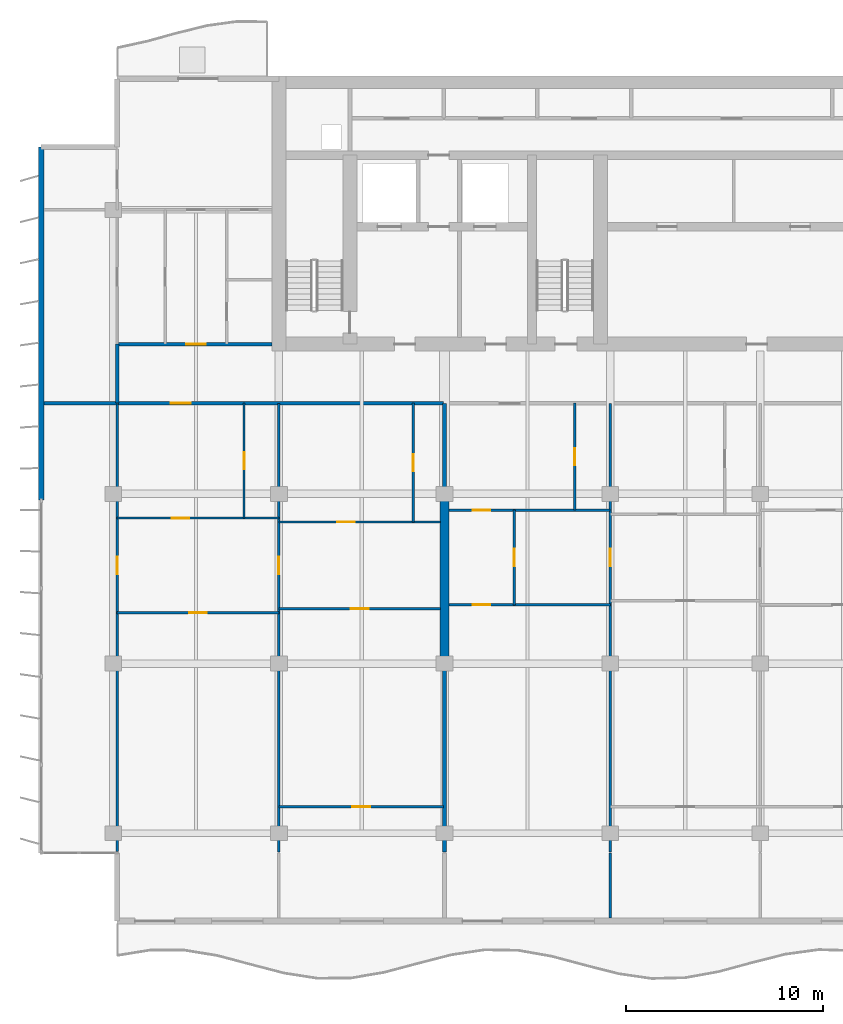
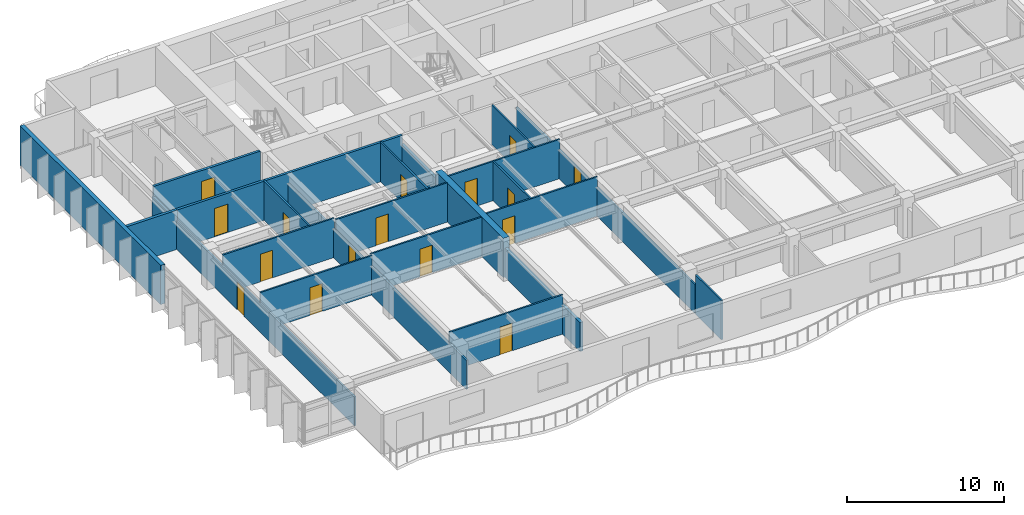
# One storey, part 7 of 16: 23 walls, 16 doors, 16 openings.
"""IFC4 building model written with IfcOpenShell, lengths in metres."""

from ifc_helpers import new_model, si_unit, direction, frame, frame_2d, origin, place, context, subcontext, project, spatial, rectangle, extrude, material, layer, layer_set, type_object, element, fill, save


model = new_model("IFC4")

# Units and contexts
model_context = context("Model", 3, precision=1e-05, world=origin(), true_north=direction((0.0, 1.0)))
body_context = subcontext(model_context, "Body", "Model", "MODEL_VIEW")
ifc_project = project(units=[si_unit("LENGTHUNIT", "METRE"), si_unit("AREAUNIT", "SQUARE_METRE"), si_unit("VOLUMEUNIT", "CUBIC_METRE"), si_unit("PLANEANGLEUNIT", "RADIAN"), si_unit("MASSUNIT", "GRAM", prefix="KILO")], contexts=[model_context])

# Site, building, storey
site_placement = place(None, origin())
site = spatial("IfcSite", under=ifc_project, at=site_placement, CompositionType="ELEMENT")
building_placement = place(site_placement, origin())
building = spatial("IfcBuilding", under=site, at=building_placement, Name="Caelmar Bay Residences", CompositionType="ELEMENT")
storey_placement = place(building_placement, frame((0.0, 0.0, 211.5)))
storey = spatial("IfcBuildingStorey", under=building, at=storey_placement, Name="L59", CompositionType="ELEMENT", Elevation=211.5)

# Walls
ifc_material_1 = material(Name="Concrete f'c 55 MPa (8,000 psi)", Category="concrete")
ifc_layer_1 = layer(ifc_material_1, 0.449951171875)
ifc_layer_set_1 = layer_set([ifc_layer_1], Name="Concrete f'c 55 MPa (8,000 psi)")
wall_type_1 = type_object("IfcWallType", Name="SW-XSLB-450", PredefinedType="SHEAR", material=ifc_layer_set_1)
wall_1_placement = place(storey_placement, frame((26.699951171875, 20.800048828125, 0.0), z_axis=(0.0, 0.0, 1.0), x_axis=(0.0, 1.0, 0.0)))
element("IfcWall", 1, at=wall_1_placement, inside=storey, type_object=wall_type_1, Name="L59 Transverse Cross-Slab Shear Wall W5", PredefinedType="SHEAR", context=body_context, shape_type="SweptSolid", body=[
    extrude(rectangle(XDim=8.599853515625, YDim=0.449951171875, at=frame_2d((4.2998046875, 0.0))), origin(), (0.0, 0.0, 1.0), 3.050048828125),
])
ifc_material_2 = material(Name="Double-stud acoustic fire-rated gypsum partition 180 mm")
ifc_layer_2 = layer(ifc_material_2, 0.179931640625)
ifc_layer_set_2 = layer_set([ifc_layer_2], Name="Double-stud acoustic fire-rated gypsum partition 180 mm")
wall_type_2 = type_object("IfcWallType", Name="W-COR-200", PredefinedType="PARTITIONING", material=ifc_layer_set_2)
wall_2_placement = place(storey_placement, frame((10.10009765625, 34.0048828125, 0.0), z_axis=(0.0, 0.0, 1.0), x_axis=(0.0, 1.0, 0.0)))
element("IfcWall", 2, at=wall_2_placement, inside=storey, type_object=wall_type_2, Name="L59 Partition Wall V002", PredefinedType="PARTITIONING", context=body_context, shape_type="SweptSolid", body=[
    extrude(rectangle(XDim=2.9951171875, YDim=0.179931640625, at=frame_2d((1.49755859375, 0.0))), origin(), (0.0, 0.0, 1.0), 2.262939453125),
])

# Wall, opening, door
wall_3_placement = place(storey_placement, frame((10.10498046875, 34.0, 0.0), z_axis=(0.0, 0.0, 1.0), x_axis=(1.0, 0.0, 0.0)))
wall_3 = element("IfcWall", 3, at=wall_3_placement, inside=storey, type_object=wall_type_2, Name="L59 Partition Wall H069", PredefinedType="PARTITIONING", context=body_context, shape_type="SweptSolid", body=[
    extrude(rectangle(XDim=16.544921875, YDim=0.179931640625, at=frame_2d((8.2724609375, 0.0))), origin(), (0.0, 0.0, 1.0), 3.050048828125),
])
opening_1_placement = place(wall_3_placement, frame((2.71240234375, 0.0, 0.0)))
opening_1 = element("IfcOpeningElement", 4, at=opening_1_placement, cuts=wall_3, Name="Opening D-L59-124", PredefinedType="OPENING", context=body_context, shape_type="SweptSolid", body=[
    extrude(rectangle(XDim=1.0, YDim=2.199951171875, at=frame_2d((0.5, 1.10009765625))), frame((0.0, 0.099853515625, 0.0), z_axis=(0.0, -1.0, 0.0), x_axis=(1.0, 0.0, 0.0)), (0.0, 0.0, 1.0), 0.199951171875),
])
ifc_material_3 = material(Name="Fire-rated steel and walnut architectural door assembly", Category="steel")
ifc_layer_3 = layer(ifc_material_3, 0.050048828125)
ifc_layer_set_3 = layer_set([ifc_layer_3], Name="Fire-rated steel and walnut architectural door assembly")
door_type_1 = type_object("IfcDoorType", Name="D-UNIT-1000", OperationType="NOTDEFINED", PredefinedType="DOOR", material=ifc_layer_set_3)
door_1_placement = place(opening_1_placement, origin())
door_1 = element("IfcDoor", 5, at=door_1_placement, inside=storey, type_object=door_type_1, Name="L59 Residence 01 Apartment Hall Door", OperationType="SINGLE_SWING_RIGHT", OverallHeight=2.199951171875, OverallWidth=1.0, PredefinedType="DOOR", context=body_context, shape_type="SweptSolid", body=[
    extrude(rectangle(XDim=1.0, YDim=2.199951171875, at=frame_2d((0.5, 1.10009765625))), frame((0.0, 0.02490234375, 0.0), z_axis=(0.0, -1.0, 0.0), x_axis=(1.0, 0.0, 0.0)), (0.0, 0.0, 1.0), 0.050048828125),
])
fill(opening_1, door_1)

wall_4_placement = place(storey_placement, frame((10.10009765625, 37.0, 0.0), z_axis=(0.0, 0.0, 1.0), x_axis=(1.0, 0.0, 0.0)))
wall_4 = element("IfcWall", 6, at=wall_4_placement, inside=storey, type_object=wall_type_2, Name="L59 Partition Wall H072", PredefinedType="PARTITIONING", context=body_context, shape_type="SweptSolid", body=[
    extrude(rectangle(XDim=7.844970703125, YDim=0.179931640625, at=frame_2d((3.92236328125, 0.0))), origin(), (0.0, 0.0, 1.0), 3.050048828125),
])
opening_2_placement = place(wall_4_placement, frame((3.49609375, 0.0, 0.0)))
opening_2 = element("IfcOpeningElement", 7, at=opening_2_placement, cuts=wall_4, Name="Opening D-L59-161", PredefinedType="OPENING", context=body_context, shape_type="SweptSolid", body=[
    extrude(rectangle(XDim=1.0, YDim=2.199951171875, at=frame_2d((0.5, 1.10009765625))), frame((0.0, 0.099853515625, 0.0), z_axis=(0.0, -1.0, 0.0), x_axis=(1.0, 0.0, 0.0)), (0.0, 0.0, 1.0), 0.199951171875),
])
door_2_placement = place(opening_2_placement, origin())
door_2 = element("IfcDoor", 8, at=door_2_placement, inside=storey, type_object=door_type_1, Name="L59 Residence WA Kitchen Door", OperationType="SINGLE_SWING_LEFT", OverallHeight=2.199951171875, OverallWidth=1.0, PredefinedType="DOOR", context=body_context, shape_type="SweptSolid", body=[
    extrude(rectangle(XDim=1.0, YDim=2.199951171875, at=frame_2d((0.5, 1.10009765625))), frame((0.0, 0.02490234375, 0.0), z_axis=(0.0, -1.0, 0.0), x_axis=(1.0, 0.0, 0.0)), (0.0, 0.0, 1.0), 0.050048828125),
])
fill(opening_2, door_2)

# Wall
ifc_material_4 = material(Name="Precast concrete f'c 40 MPa (6,000 psi)", Category="concrete")
ifc_layer_4 = layer(ifc_material_4, 0.300048828125)
ifc_layer_set_4 = layer_set([ifc_layer_4], Name="Precast concrete f'c 40 MPa (6,000 psi)")
wall_type_3 = type_object("IfcWallType", Name="W-EXT-300", PredefinedType="STANDARD", material=ifc_layer_set_4)
wall_5_placement = place(storey_placement, frame((6.25, 29.10009765625, 0.0), z_axis=(0.0, 0.0, 1.0), x_axis=(0.0, 1.0, 0.0)))
element("IfcWall", 9, at=wall_5_placement, inside=storey, type_object=wall_type_3, Name="L59 West Rear Exterior Wall", PredefinedType="STANDARD", context=body_context, shape_type="SweptSolid", body=[
    extrude(rectangle(XDim=17.89990234375, YDim=0.300048828125, at=frame_2d((8.949951171875, 0.0))), origin(), (0.0, 0.0, 1.0), 3.050048828125),
])

# Wall, opening, door
ifc_material_5 = material(Name="Acoustic metal-stud gypsum partition 120 mm")
ifc_layer_5 = layer(ifc_material_5, 0.1201171875)
ifc_layer_set_5 = layer_set([ifc_layer_5], Name="Acoustic metal-stud gypsum partition 120 mm")
wall_type_4 = type_object("IfcWallType", Name="W-PRT-120", PredefinedType="PARTITIONING", material=ifc_layer_set_5)
wall_6_placement = place(storey_placement, frame((10.10009765625, 11.284912109375, 0.0), z_axis=(0.0, 0.0, 1.0), x_axis=(0.0, 1.0, 0.0)))
wall_6 = element("IfcWall", 10, at=wall_6_placement, inside=storey, type_object=wall_type_4, Name="L59 Partition Wall V001", PredefinedType="PARTITIONING", context=body_context, shape_type="SweptSolid", body=[
    extrude(rectangle(XDim=22.715087890625, YDim=0.1201171875, at=frame_2d((11.357421875, 0.0))), origin(), (0.0, 0.0, 1.0), 2.262939453125),
])
opening_3_placement = place(wall_6_placement, frame((14.044921875, 0.0, 0.0)))
opening_3 = element("IfcOpeningElement", 11, at=opening_3_placement, cuts=wall_6, Name="Opening D-L59-158", PredefinedType="OPENING", context=body_context, shape_type="SweptSolid", body=[
    extrude(rectangle(XDim=0.89990234375, YDim=2.14990234375, at=frame_2d((0.449951171875, 1.074951171875))), frame((0.0, 0.070068359375, 0.0), z_axis=(0.0, -1.0, 0.0), x_axis=(1.0, 0.0, 0.0)), (0.0, 0.0, 1.0), 0.14013671875),
])
ifc_material_6 = material(Name="Solid walnut timber interior door leaf and frame", Category="wood")
ifc_layer_6 = layer(ifc_material_6, 0.050048828125)
ifc_layer_set_6 = layer_set([ifc_layer_6], Name="Solid walnut timber interior door leaf and frame")
door_type_2 = type_object("IfcDoorType", Name="D-ROOM-900", OperationType="NOTDEFINED", PredefinedType="DOOR", material=ifc_layer_set_6)
door_3_placement = place(opening_3_placement, origin())
door_3 = element("IfcDoor", 12, at=door_3_placement, inside=storey, type_object=door_type_2, Name="L59 Residence 01 Penthouse West Salon Door", OperationType="SINGLE_SWING_RIGHT", OverallHeight=2.14990234375, OverallWidth=0.89990234375, PredefinedType="DOOR", context=body_context, shape_type="SweptSolid", body=[
    extrude(rectangle(XDim=0.89990234375, YDim=2.14990234375, at=frame_2d((0.449951171875, 1.074951171875))), frame((0.0, 0.02490234375, 0.0), z_axis=(0.0, -1.0, 0.0), x_axis=(1.0, 0.0, 0.0)), (0.0, 0.0, 1.0), 0.050048828125),
])
fill(opening_3, door_3)

wall_7_placement = place(storey_placement, frame((16.530029296875, 28.179931640625, 0.0), z_axis=(0.0, 0.0, 1.0), x_axis=(0.0, 1.0, 0.0)))
wall_7 = element("IfcWall", 13, at=wall_7_placement, inside=storey, type_object=wall_type_4, Name="L59 Partition Wall V007", PredefinedType="PARTITIONING", context=body_context, shape_type="SweptSolid", body=[
    extrude(rectangle(XDim=5.820068359375, YDim=0.1201171875, at=frame_2d((2.91015625, 0.0))), origin(), (0.0, 0.0, 1.0), 3.050048828125),
])
opening_4_placement = place(wall_7_placement, frame((2.485107421875, 0.0, 0.0)))
opening_4 = element("IfcOpeningElement", 14, at=opening_4_placement, cuts=wall_7, Name="Opening D-L59-125", PredefinedType="OPENING", context=body_context, shape_type="SweptSolid", body=[
    extrude(rectangle(XDim=0.85009765625, YDim=2.10009765625, at=frame_2d((0.425048828125, 1.050048828125))), frame((0.0, 0.070068359375, 0.0), z_axis=(0.0, -1.0, 0.0), x_axis=(1.0, 0.0, 0.0)), (0.0, 0.0, 1.0), 0.14013671875),
])
ifc_layer_7 = layer(ifc_material_6, 0.050048828125)
ifc_layer_set_7 = layer_set([ifc_layer_7], Name="Solid walnut timber interior door leaf and frame")
door_type_3 = type_object("IfcDoorType", Name="D-BATH-850", OperationType="NOTDEFINED", PredefinedType="DOOR", material=ifc_layer_set_7)
door_4_placement = place(opening_4_placement, origin())
door_4 = element("IfcDoor", 15, at=door_4_placement, inside=storey, type_object=door_type_3, Name="L59 Residence 01 Guest Bathroom Door", OperationType="SINGLE_SWING_LEFT", OverallHeight=2.10009765625, OverallWidth=0.85009765625, PredefinedType="DOOR", context=body_context, shape_type="SweptSolid", body=[
    extrude(rectangle(XDim=0.85009765625, YDim=2.10009765625, at=frame_2d((0.425048828125, 1.050048828125))), frame((0.0, 0.02490234375, 0.0), z_axis=(0.0, -1.0, 0.0), x_axis=(1.0, 0.0, 0.0)), (0.0, 0.0, 1.0), 0.050048828125),
])
fill(opening_4, door_4)

wall_8_placement = place(storey_placement, frame((18.300048828125, 11.239990234375, 0.0), z_axis=(0.0, 0.0, 1.0), x_axis=(0.0, 1.0, 0.0)))
wall_8 = element("IfcWall", 16, at=wall_8_placement, inside=storey, type_object=wall_type_4, Name="L59 Partition Wall V009", PredefinedType="PARTITIONING", context=body_context, shape_type="SweptSolid", body=[
    extrude(rectangle(XDim=22.760009765625, YDim=0.1201171875, at=frame_2d((11.3798828125, 0.0))), origin(), (0.0, 0.0, 1.0), 2.262939453125),
])
opening_5_placement = place(wall_8_placement, frame((14.090087890625, 0.0, 0.0)))
opening_5 = element("IfcOpeningElement", 17, at=opening_5_placement, cuts=wall_8, Name="Opening D-L59-128", PredefinedType="OPENING", context=body_context, shape_type="SweptSolid", body=[
    extrude(rectangle(XDim=0.89990234375, YDim=2.14990234375, at=frame_2d((0.449951171875, 1.074951171875))), frame((0.0, 0.070068359375, 0.0), z_axis=(0.0, -1.0, 0.0), x_axis=(1.0, 0.0, 0.0)), (0.0, 0.0, 1.0), 0.14013671875),
])
door_5_placement = place(opening_5_placement, origin())
door_5 = element("IfcDoor", 18, at=door_5_placement, inside=storey, type_object=door_type_2, Name="L59 Residence 01 Reception Lounge 1 Door", OperationType="SINGLE_SWING_RIGHT", OverallHeight=2.14990234375, OverallWidth=0.89990234375, PredefinedType="DOOR", context=body_context, shape_type="SweptSolid", body=[
    extrude(rectangle(XDim=0.89990234375, YDim=2.14990234375, at=frame_2d((0.449951171875, 1.074951171875))), frame((0.0, 0.02490234375, 0.0), z_axis=(0.0, -1.0, 0.0), x_axis=(1.0, 0.0, 0.0)), (0.0, 0.0, 1.0), 0.050048828125),
])
fill(opening_5, door_5)

wall_9_placement = place(storey_placement, frame((25.10498046875, 27.97998046875, 0.0), z_axis=(0.0, 0.0, 1.0), x_axis=(0.0, 1.0, 0.0)))
wall_9 = element("IfcWall", 19, at=wall_9_placement, inside=storey, type_object=wall_type_4, Name="L59 Partition Wall V011", PredefinedType="PARTITIONING", context=body_context, shape_type="SweptSolid", body=[
    extrude(rectangle(XDim=6.02001953125, YDim=0.1201171875, at=frame_2d((3.010009765625, 0.0))), origin(), (0.0, 0.0, 1.0), 3.050048828125),
])
opening_6_placement = place(wall_9_placement, frame((2.5849609375, 0.0, 0.0)))
opening_6 = element("IfcOpeningElement", 20, at=opening_6_placement, cuts=wall_9, Name="Opening D-L59-130", PredefinedType="OPENING", context=body_context, shape_type="SweptSolid", body=[
    extrude(rectangle(XDim=0.85009765625, YDim=2.10009765625, at=frame_2d((0.425048828125, 1.050048828125))), frame((0.0, 0.070068359375, 0.0), z_axis=(0.0, -1.0, 0.0), x_axis=(1.0, 0.0, 0.0)), (0.0, 0.0, 1.0), 0.14013671875),
])
door_6_placement = place(opening_6_placement, origin())
door_6 = element("IfcDoor", 21, at=door_6_placement, inside=storey, type_object=door_type_3, Name="L59 Residence 01 En-Suite Bathroom 1 Door", OperationType="SINGLE_SWING_RIGHT", OverallHeight=2.10009765625, OverallWidth=0.85009765625, PredefinedType="DOOR", context=body_context, shape_type="SweptSolid", body=[
    extrude(rectangle(XDim=0.85009765625, YDim=2.10009765625, at=frame_2d((0.425048828125, 1.050048828125))), frame((0.0, 0.02490234375, 0.0), z_axis=(0.0, -1.0, 0.0), x_axis=(1.0, 0.0, 0.0)), (0.0, 0.0, 1.0), 0.050048828125),
])
fill(opening_6, door_6)

wall_10_placement = place(storey_placement, frame((30.22802734375, 23.780029296875, 0.0), z_axis=(0.0, 0.0, 1.0), x_axis=(0.0, 1.0, 0.0)))
wall_10 = element("IfcWall", 22, at=wall_10_placement, inside=storey, type_object=wall_type_4, Name="L59 Partition Wall V019", PredefinedType="PARTITIONING", context=body_context, shape_type="SweptSolid", body=[
    extrude(rectangle(XDim=4.800048828125, YDim=0.1201171875, at=frame_2d((2.39990234375, 0.0))), origin(), (0.0, 0.0, 1.0), 3.050048828125),
])
opening_7_placement = place(wall_10_placement, frame((1.949951171875, 0.0, 0.0)))
opening_7 = element("IfcOpeningElement", 23, at=opening_7_placement, cuts=wall_10, Name="Opening D-L59-136", PredefinedType="OPENING", context=body_context, shape_type="SweptSolid", body=[
    extrude(rectangle(XDim=0.89990234375, YDim=2.14990234375, at=frame_2d((0.449951171875, 1.074951171875))), frame((0.0, 0.070068359375, 0.0), z_axis=(0.0, -1.0, 0.0), x_axis=(1.0, 0.0, 0.0)), (0.0, 0.0, 1.0), 0.14013671875),
])
door_7_placement = place(opening_7_placement, origin())
door_7 = element("IfcDoor", 24, at=door_7_placement, inside=storey, type_object=door_type_2, Name="L59 Residence 02 Kitchen Door", OperationType="SINGLE_SWING_RIGHT", OverallHeight=2.14990234375, OverallWidth=0.89990234375, PredefinedType="DOOR", context=body_context, shape_type="SweptSolid", body=[
    extrude(rectangle(XDim=0.89990234375, YDim=2.14990234375, at=frame_2d((0.449951171875, 1.074951171875))), frame((0.0, 0.02490234375, 0.0), z_axis=(0.0, -1.0, 0.0), x_axis=(1.0, 0.0, 0.0)), (0.0, 0.0, 1.0), 0.050048828125),
])
fill(opening_7, door_7)

wall_11_placement = place(storey_placement, frame((33.2919921875, 28.580078125, 0.0), z_axis=(0.0, 0.0, 1.0), x_axis=(0.0, 1.0, 0.0)))
wall_11 = element("IfcWall", 25, at=wall_11_placement, inside=storey, type_object=wall_type_4, Name="L59 Partition Wall V021", PredefinedType="PARTITIONING", context=body_context, shape_type="SweptSolid", body=[
    extrude(rectangle(XDim=5.419921875, YDim=0.1201171875, at=frame_2d((2.7099609375, 0.0))), origin(), (0.0, 0.0, 1.0), 3.050048828125),
])
opening_8_placement = place(wall_11_placement, frame((2.284912109375, 0.0, 0.0)))
opening_8 = element("IfcOpeningElement", 26, at=opening_8_placement, cuts=wall_11, Name="Opening D-L59-134", PredefinedType="OPENING", context=body_context, shape_type="SweptSolid", body=[
    extrude(rectangle(XDim=0.85009765625, YDim=2.10009765625, at=frame_2d((0.425048828125, 1.050048828125))), frame((0.0, 0.070068359375, 0.0), z_axis=(0.0, -1.0, 0.0), x_axis=(1.0, 0.0, 0.0)), (0.0, 0.0, 1.0), 0.14013671875),
])
door_8_placement = place(opening_8_placement, origin())
door_8 = element("IfcDoor", 27, at=door_8_placement, inside=storey, type_object=door_type_3, Name="L59 Residence 02 Guest Bathroom Door", OperationType="SINGLE_SWING_RIGHT", OverallHeight=2.10009765625, OverallWidth=0.85009765625, PredefinedType="DOOR", context=body_context, shape_type="SweptSolid", body=[
    extrude(rectangle(XDim=0.85009765625, YDim=2.10009765625, at=frame_2d((0.425048828125, 1.050048828125))), frame((0.0, 0.02490234375, 0.0), z_axis=(0.0, -1.0, 0.0), x_axis=(1.0, 0.0, 0.0)), (0.0, 0.0, 1.0), 0.050048828125),
])
fill(opening_8, door_8)

# Wall
wall_12_placement = place(storey_placement, frame((35.10009765625, 7.89501953125, 0.0), z_axis=(0.0, 0.0, 1.0), x_axis=(0.0, 1.0, 0.0)))
element("IfcWall", 28, at=wall_12_placement, inside=storey, type_object=wall_type_4, Name="L59 Partition Wall V022", PredefinedType="PARTITIONING", context=body_context, shape_type="SweptSolid", body=[
    extrude(rectangle(XDim=3.304931640625, YDim=0.1201171875, at=frame_2d((1.65234375, 0.0))), origin(), (0.0, 0.0, 1.0), 3.050048828125),
])

# Wall, opening, door
wall_13_placement = place(storey_placement, frame((35.10009765625, 11.239990234375, 0.0), z_axis=(0.0, 0.0, 1.0), x_axis=(0.0, 1.0, 0.0)))
wall_13 = element("IfcWall", 29, at=wall_13_placement, inside=storey, type_object=wall_type_4, Name="L59 Partition Wall V023", PredefinedType="PARTITIONING", context=body_context, shape_type="SweptSolid", body=[
    extrude(rectangle(XDim=22.760009765625, YDim=0.1201171875, at=frame_2d((11.3798828125, 0.0))), origin(), (0.0, 0.0, 1.0), 2.262939453125),
])
opening_9_placement = place(wall_13_placement, frame((14.489990234375, 0.0, 0.0)))
opening_9 = element("IfcOpeningElement", 30, at=opening_9_placement, cuts=wall_13, Name="Opening D-L59-138", PredefinedType="OPENING", context=body_context, shape_type="SweptSolid", body=[
    extrude(rectangle(XDim=0.89990234375, YDim=2.14990234375, at=frame_2d((0.449951171875, 1.074951171875))), frame((0.0, 0.070068359375, 0.0), z_axis=(0.0, -1.0, 0.0), x_axis=(1.0, 0.0, 0.0)), (0.0, 0.0, 1.0), 0.14013671875),
])
door_9_placement = place(opening_9_placement, origin())
door_9 = element("IfcDoor", 31, at=door_9_placement, inside=storey, type_object=door_type_2, Name="L59 Residence 02 Reception Lounge 1 Door", OperationType="SINGLE_SWING_RIGHT", OverallHeight=2.14990234375, OverallWidth=0.89990234375, PredefinedType="DOOR", context=body_context, shape_type="SweptSolid", body=[
    extrude(rectangle(XDim=0.89990234375, YDim=2.14990234375, at=frame_2d((0.449951171875, 1.074951171875))), frame((0.0, 0.02490234375, 0.0), z_axis=(0.0, -1.0, 0.0), x_axis=(1.0, 0.0, 0.0)), (0.0, 0.0, 1.0), 0.050048828125),
])
fill(opening_9, door_9)

wall_14_placement = place(storey_placement, frame((18.300048828125, 13.550048828125, 0.0), z_axis=(0.0, 0.0, 1.0), x_axis=(1.0, 0.0, 0.0)))
wall_14 = element("IfcWall", 32, at=wall_14_placement, inside=storey, type_object=wall_type_4, Name="L59 Partition Wall H051", PredefinedType="PARTITIONING", context=body_context, shape_type="SweptSolid", body=[
    extrude(rectangle(XDim=8.349853515625, YDim=0.1201171875, at=frame_2d((4.1748046875, 0.0))), origin(), (0.0, 0.0, 1.0), 3.050048828125),
])
opening_10_placement = place(wall_14_placement, frame((3.72509765625, 0.0, 0.0)))
opening_10 = element("IfcOpeningElement", 33, at=opening_10_placement, cuts=wall_14, Name="Opening D-L59-132", PredefinedType="OPENING", context=body_context, shape_type="SweptSolid", body=[
    extrude(rectangle(XDim=0.89990234375, YDim=2.14990234375, at=frame_2d((0.449951171875, 1.074951171875))), frame((0.0, 0.070068359375, 0.0), z_axis=(0.0, -1.0, 0.0), x_axis=(1.0, 0.0, 0.0)), (0.0, 0.0, 1.0), 0.14013671875),
])
door_10_placement = place(opening_10_placement, origin())
door_10 = element("IfcDoor", 34, at=door_10_placement, inside=storey, type_object=door_type_2, Name="L59 Residence 01 Primary Bedroom 1 Door", OperationType="SINGLE_SWING_RIGHT", OverallHeight=2.14990234375, OverallWidth=0.89990234375, PredefinedType="DOOR", context=body_context, shape_type="SweptSolid", body=[
    extrude(rectangle(XDim=0.89990234375, YDim=2.14990234375, at=frame_2d((0.449951171875, 1.074951171875))), frame((0.0, 0.02490234375, 0.0), z_axis=(0.0, -1.0, 0.0), x_axis=(1.0, 0.0, 0.0)), (0.0, 0.0, 1.0), 0.050048828125),
])
fill(opening_10, door_10)

wall_15_placement = place(storey_placement, frame((10.10009765625, 23.3798828125, 0.0), z_axis=(0.0, 0.0, 1.0), x_axis=(1.0, 0.0, 0.0)))
wall_15 = element("IfcWall", 35, at=wall_15_placement, inside=storey, type_object=wall_type_4, Name="L59 Partition Wall H054", PredefinedType="PARTITIONING", context=body_context, shape_type="SweptSolid", body=[
    extrude(rectangle(XDim=8.199951171875, YDim=0.1201171875, at=frame_2d((4.10009765625, 0.0))), origin(), (0.0, 0.0, 1.0), 3.050048828125),
])
opening_11_placement = place(wall_15_placement, frame((3.64990234375, 0.0, 0.0)))
opening_11 = element("IfcOpeningElement", 36, at=opening_11_placement, cuts=wall_15, Name="Opening D-L59-127", PredefinedType="OPENING", context=body_context, shape_type="SweptSolid", body=[
    extrude(rectangle(XDim=0.89990234375, YDim=2.14990234375, at=frame_2d((0.449951171875, 1.074951171875))), frame((0.0, 0.070068359375, 0.0), z_axis=(0.0, -1.0, 0.0), x_axis=(1.0, 0.0, 0.0)), (0.0, 0.0, 1.0), 0.14013671875),
])
door_11_placement = place(opening_11_placement, origin())
door_11 = element("IfcDoor", 37, at=door_11_placement, inside=storey, type_object=door_type_2, Name="L59 Residence 01 Penthouse Living Salon Door", OperationType="SINGLE_SWING_LEFT", OverallHeight=2.14990234375, OverallWidth=0.89990234375, PredefinedType="DOOR", context=body_context, shape_type="SweptSolid", body=[
    extrude(rectangle(XDim=0.89990234375, YDim=2.14990234375, at=frame_2d((0.449951171875, 1.074951171875))), frame((0.0, 0.02490234375, 0.0), z_axis=(0.0, -1.0, 0.0), x_axis=(1.0, 0.0, 0.0)), (0.0, 0.0, 1.0), 0.050048828125),
])
fill(opening_11, door_11)

wall_16_placement = place(storey_placement, frame((18.304931640625, 23.580078125, 0.0), z_axis=(0.0, 0.0, 1.0), x_axis=(1.0, 0.0, 0.0)))
wall_16 = element("IfcWall", 38, at=wall_16_placement, inside=storey, type_object=wall_type_4, Name="L59 Partition Wall H056", PredefinedType="PARTITIONING", context=body_context, shape_type="SweptSolid", body=[
    extrude(rectangle(XDim=8.175048828125, YDim=0.1201171875, at=frame_2d((4.08740234375, 0.0))), origin(), (0.0, 0.0, 1.0), 3.050048828125),
])
opening_12_placement = place(wall_16_placement, frame((3.637451171875, 0.0, 0.0)))
opening_12 = element("IfcOpeningElement", 39, at=opening_12_placement, cuts=wall_16, Name="Opening D-L59-131", PredefinedType="OPENING", context=body_context, shape_type="SweptSolid", body=[
    extrude(rectangle(XDim=0.89990234375, YDim=2.14990234375, at=frame_2d((0.449951171875, 1.074951171875))), frame((0.0, 0.070068359375, 0.0), z_axis=(0.0, -1.0, 0.0), x_axis=(1.0, 0.0, 0.0)), (0.0, 0.0, 1.0), 0.14013671875),
])
door_12_placement = place(opening_12_placement, origin())
door_12 = element("IfcDoor", 40, at=door_12_placement, inside=storey, type_object=door_type_2, Name="L59 Residence 01 Penthouse Sitting Salon 1 Door", OperationType="SINGLE_SWING_LEFT", OverallHeight=2.14990234375, OverallWidth=0.89990234375, PredefinedType="DOOR", context=body_context, shape_type="SweptSolid", body=[
    extrude(rectangle(XDim=0.89990234375, YDim=2.14990234375, at=frame_2d((0.449951171875, 1.074951171875))), frame((0.0, 0.02490234375, 0.0), z_axis=(0.0, -1.0, 0.0), x_axis=(1.0, 0.0, 0.0)), (0.0, 0.0, 1.0), 0.050048828125),
])
fill(opening_12, door_12)

wall_17_placement = place(storey_placement, frame((26.919921875, 23.780029296875, 0.0), z_axis=(0.0, 0.0, 1.0), x_axis=(1.0, 0.0, 0.0)))
wall_17 = element("IfcWall", 41, at=wall_17_placement, inside=storey, type_object=wall_type_4, Name="L59 Partition Wall H058", PredefinedType="PARTITIONING", context=body_context, shape_type="SweptSolid", body=[
    extrude(rectangle(XDim=8.18017578125, YDim=0.1201171875, at=frame_2d((4.090087890625, 0.0))), origin(), (0.0, 0.0, 1.0), 3.050048828125),
])
opening_13_placement = place(wall_17_placement, frame((1.2041015625, 0.0, 0.0)))
opening_13 = element("IfcOpeningElement", 42, at=opening_13_placement, cuts=wall_17, Name="Opening D-L59-137", PredefinedType="OPENING", context=body_context, shape_type="SweptSolid", body=[
    extrude(rectangle(XDim=0.89990234375, YDim=2.14990234375, at=frame_2d((0.449951171875, 1.074951171875))), frame((0.0, 0.070068359375, 0.0), z_axis=(0.0, -1.0, 0.0), x_axis=(1.0, 0.0, 0.0)), (0.0, 0.0, 1.0), 0.14013671875),
])
door_13_placement = place(opening_13_placement, origin())
door_13 = element("IfcDoor", 43, at=door_13_placement, inside=storey, type_object=door_type_2, Name="L59 Residence 02 Penthouse Living Salon Door", OperationType="SINGLE_SWING_LEFT", OverallHeight=2.14990234375, OverallWidth=0.89990234375, PredefinedType="DOOR", context=body_context, shape_type="SweptSolid", body=[
    extrude(rectangle(XDim=0.89990234375, YDim=2.14990234375, at=frame_2d((0.449951171875, 1.074951171875))), frame((0.0, 0.02490234375, 0.0), z_axis=(0.0, -1.0, 0.0), x_axis=(1.0, 0.0, 0.0)), (0.0, 0.0, 1.0), 0.050048828125),
])
fill(opening_13, door_13)

wall_18_placement = place(storey_placement, frame((18.300048828125, 27.97998046875, 0.0), z_axis=(0.0, 0.0, 1.0), x_axis=(1.0, 0.0, 0.0)))
wall_18 = element("IfcWall", 44, at=wall_18_placement, inside=storey, type_object=wall_type_4, Name="L59 Partition Wall H061", PredefinedType="PARTITIONING", context=body_context, shape_type="SweptSolid", body=[
    extrude(rectangle(XDim=8.179931640625, YDim=0.1201171875, at=frame_2d((4.08984375, 0.0))), origin(), (0.0, 0.0, 1.0), 3.050048828125),
])
opening_14_placement = place(wall_18_placement, frame((2.952392578125, 0.0, 0.0)))
opening_14 = element("IfcOpeningElement", 45, at=opening_14_placement, cuts=wall_18, Name="Opening D-L59-129", PredefinedType="OPENING", context=body_context, shape_type="SweptSolid", body=[
    extrude(rectangle(XDim=0.89990234375, YDim=2.14990234375, at=frame_2d((0.449951171875, 1.074951171875))), frame((0.0, 0.070068359375, 0.0), z_axis=(0.0, -1.0, 0.0), x_axis=(1.0, 0.0, 0.0)), (0.0, 0.0, 1.0), 0.14013671875),
])
door_14_placement = place(opening_14_placement, origin())
door_14 = element("IfcDoor", 46, at=door_14_placement, inside=storey, type_object=door_type_2, Name="L59 Residence 01 Private Reception Room 1 Door", OperationType="SINGLE_SWING_LEFT", OverallHeight=2.14990234375, OverallWidth=0.89990234375, PredefinedType="DOOR", context=body_context, shape_type="SweptSolid", body=[
    extrude(rectangle(XDim=0.89990234375, YDim=2.14990234375, at=frame_2d((0.449951171875, 1.074951171875))), frame((0.0, 0.02490234375, 0.0), z_axis=(0.0, -1.0, 0.0), x_axis=(1.0, 0.0, 0.0)), (0.0, 0.0, 1.0), 0.050048828125),
])
fill(opening_14, door_14)

wall_19_placement = place(storey_placement, frame((10.10009765625, 28.179931640625, 0.0), z_axis=(0.0, 0.0, 1.0), x_axis=(1.0, 0.0, 0.0)))
wall_19 = element("IfcWall", 47, at=wall_19_placement, inside=storey, type_object=wall_type_4, Name="L59 Partition Wall H063", PredefinedType="PARTITIONING", context=body_context, shape_type="SweptSolid", body=[
    extrude(rectangle(XDim=8.19482421875, YDim=0.1201171875, at=frame_2d((4.097412109375, 0.0))), origin(), (0.0, 0.0, 1.0), 3.050048828125),
])
opening_15_placement = place(wall_19_placement, frame((2.764892578125, 0.0, 0.0)))
opening_15 = element("IfcOpeningElement", 48, at=opening_15_placement, cuts=wall_19, Name="Opening D-L59-126", PredefinedType="OPENING", context=body_context, shape_type="SweptSolid", body=[
    extrude(rectangle(XDim=0.89990234375, YDim=2.14990234375, at=frame_2d((0.449951171875, 1.074951171875))), frame((0.0, 0.070068359375, 0.0), z_axis=(0.0, -1.0, 0.0), x_axis=(1.0, 0.0, 0.0)), (0.0, 0.0, 1.0), 0.14013671875),
])
door_15_placement = place(opening_15_placement, origin())
door_15 = element("IfcDoor", 49, at=door_15_placement, inside=storey, type_object=door_type_2, Name="L59 Residence 01 Kitchen Door", OperationType="SINGLE_SWING_RIGHT", OverallHeight=2.14990234375, OverallWidth=0.89990234375, PredefinedType="DOOR", context=body_context, shape_type="SweptSolid", body=[
    extrude(rectangle(XDim=0.89990234375, YDim=2.14990234375, at=frame_2d((0.449951171875, 1.074951171875))), frame((0.0, 0.02490234375, 0.0), z_axis=(0.0, -1.0, 0.0), x_axis=(1.0, 0.0, 0.0)), (0.0, 0.0, 1.0), 0.050048828125),
])
fill(opening_15, door_15)

wall_20_placement = place(storey_placement, frame((26.919921875, 28.580078125, 0.0), z_axis=(0.0, 0.0, 1.0), x_axis=(1.0, 0.0, 0.0)))
wall_20 = element("IfcWall", 50, at=wall_20_placement, inside=storey, type_object=wall_type_4, Name="L59 Partition Wall H066", PredefinedType="PARTITIONING", context=body_context, shape_type="SweptSolid", body=[
    extrude(rectangle(XDim=8.175048828125, YDim=0.1201171875, at=frame_2d((4.08740234375, 0.0))), origin(), (0.0, 0.0, 1.0), 3.050048828125),
])
opening_16_placement = place(wall_20_placement, frame((1.2041015625, 0.0, 0.0)))
opening_16 = element("IfcOpeningElement", 51, at=opening_16_placement, cuts=wall_20, Name="Opening D-L59-135", PredefinedType="OPENING", context=body_context, shape_type="SweptSolid", body=[
    extrude(rectangle(XDim=0.89990234375, YDim=2.14990234375, at=frame_2d((0.449951171875, 1.074951171875))), frame((0.0, 0.070068359375, 0.0), z_axis=(0.0, -1.0, 0.0), x_axis=(1.0, 0.0, 0.0)), (0.0, 0.0, 1.0), 0.14013671875),
])
door_16_placement = place(opening_16_placement, origin())
door_16 = element("IfcDoor", 52, at=door_16_placement, inside=storey, type_object=door_type_2, Name="L59 Residence 02 Dining Room Door", OperationType="SINGLE_SWING_LEFT", OverallHeight=2.14990234375, OverallWidth=0.89990234375, PredefinedType="DOOR", context=body_context, shape_type="SweptSolid", body=[
    extrude(rectangle(XDim=0.89990234375, YDim=2.14990234375, at=frame_2d((0.449951171875, 1.074951171875))), frame((0.0, 0.02490234375, 0.0), z_axis=(0.0, -1.0, 0.0), x_axis=(1.0, 0.0, 0.0)), (0.0, 0.0, 1.0), 0.050048828125),
])
fill(opening_16, door_16)

# Walls
ifc_material_7 = material(Name="Acoustic twin-stud fire-rated inter-tenancy partition 200 mm")
ifc_layer_8 = layer(ifc_material_7, 0.199951171875)
ifc_layer_set_8 = layer_set([ifc_layer_8], Name="Acoustic twin-stud fire-rated inter-tenancy partition 200 mm")
wall_type_5 = type_object("IfcWallType", Name="W-PTY-200", PredefinedType="PARTITIONING", material=ifc_layer_set_8)
wall_21_placement = place(storey_placement, frame((26.699951171875, 11.239990234375, 0.0), z_axis=(0.0, 0.0, 1.0), x_axis=(0.0, 1.0, 0.0)))
element("IfcWall", 53, at=wall_21_placement, inside=storey, type_object=wall_type_5, Name="L59 Partition Wall V015", PredefinedType="PARTITIONING", context=body_context, shape_type="SweptSolid", body=[
    extrude(rectangle(XDim=9.554931640625, YDim=0.199951171875, at=frame_2d((4.77734375, 0.0))), origin(), (0.0, 0.0, 1.0), 2.262939453125),
])
wall_22_placement = place(storey_placement, frame((26.699951171875, 29.405029296875, 0.0), z_axis=(0.0, 0.0, 1.0), x_axis=(0.0, 1.0, 0.0)))
element("IfcWall", 54, at=wall_22_placement, inside=storey, type_object=wall_type_5, Name="L59 Partition Wall V016", PredefinedType="PARTITIONING", context=body_context, shape_type="SweptSolid", body=[
    extrude(rectangle(XDim=4.594970703125, YDim=0.199951171875, at=frame_2d((2.29736328125, 0.0))), origin(), (0.0, 0.0, 1.0), 2.3349609375),
])
wall_23_placement = place(storey_placement, frame((6.39501953125, 34.0, 0.0), z_axis=(0.0, 0.0, 1.0), x_axis=(1.0, 0.0, 0.0)))
element("IfcWall", 55, at=wall_23_placement, inside=storey, type_object=wall_type_5, Name="L59 Partition Wall H068", PredefinedType="PARTITIONING", context=body_context, shape_type="SweptSolid", body=[
    extrude(rectangle(XDim=3.705078125, YDim=0.199951171875, at=frame_2d((1.8525390625, 0.0))), origin(), (0.0, 0.0, 1.0), 3.050048828125),
])

save(model, "model.ifc")
